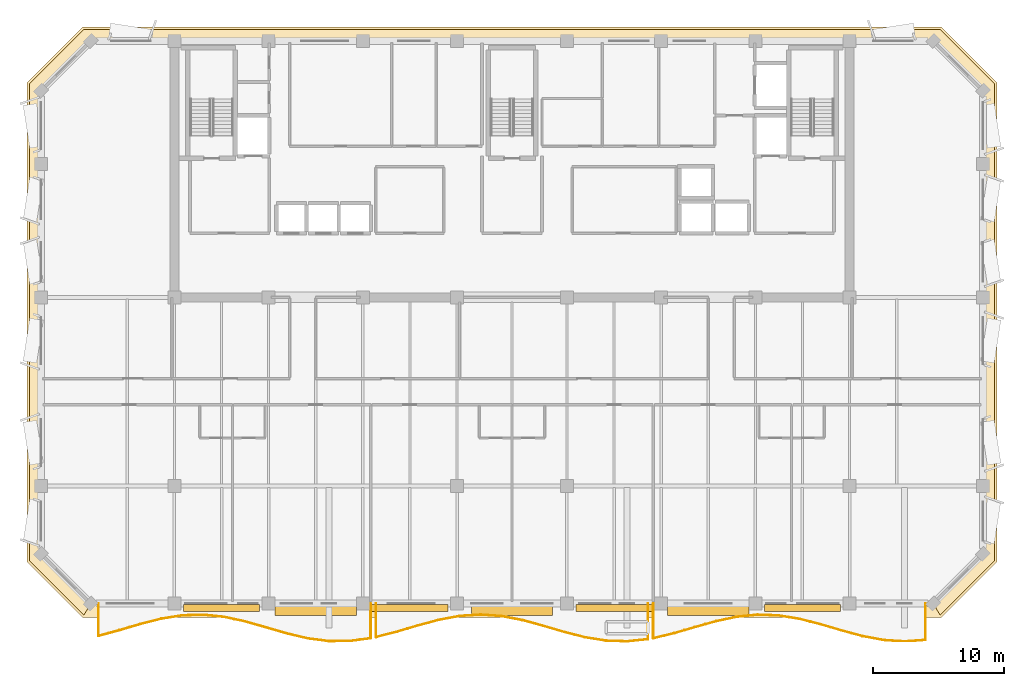
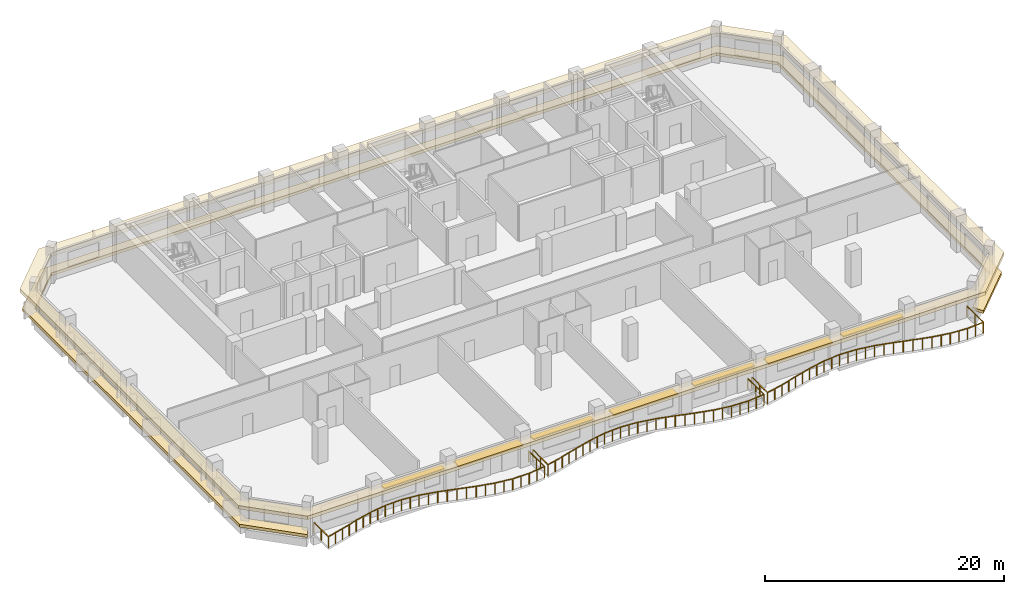
# One storey, part 8 of 10: 7 shading devices, 3 railings, 2 coverings.
"""IFC4 building model written with IfcOpenShell, lengths in metres."""

from ifc_helpers import new_model, si_unit, direction, frame, origin, origin_2d, place, context, subcontext, project, spatial, polyline, rectangle, outline, extrude, material, layer, layer_set, type_object, element, save


model = new_model("IFC4")

# Units and contexts
model_context = context("Model", 3, precision=1e-05, world=origin(), true_north=direction((0.0, 1.0)))
body_context = subcontext(model_context, "Body", "Model", "MODEL_VIEW")
ifc_project = project(units=[si_unit("LENGTHUNIT", "METRE"), si_unit("AREAUNIT", "SQUARE_METRE"), si_unit("VOLUMEUNIT", "CUBIC_METRE"), si_unit("PLANEANGLEUNIT", "RADIAN"), si_unit("MASSUNIT", "GRAM", prefix="KILO")], contexts=[model_context])

# Site, building, storey
site_placement = place(None, origin())
site = spatial("IfcSite", under=ifc_project, at=site_placement, CompositionType="ELEMENT")
building_placement = place(site_placement, origin())
building = spatial("IfcBuilding", under=site, at=building_placement, Name="Kaelvorn Grand Hotel", CompositionType="ELEMENT")
storey_placement = place(building_placement, frame((0.0, 0.0, 264.699951171875)))
storey = spatial("IfcBuildingStorey", under=building, at=storey_placement, Name="L65", CompositionType="ELEMENT", Elevation=264.699951171875)

# Coverings
ifc_material_1 = material(Name="Precast concrete C45/55", Category="concrete")
ifc_layer_1 = layer(ifc_material_1, 0.260009765625)
ifc_layer_set_1 = layer_set([ifc_layer_1], Name="Precast concrete C45/55")
covering_type_1 = type_object("IfcCoveringType", Name="COV-BAND-STREAMLINE-HEAD", PredefinedType="CLADDING", material=ifc_layer_set_1)
covering_1_placement = place(storey_placement, frame((0.0, 0.0, 2.420166015625)))
element("IfcCovering", 1, at=covering_1_placement, inside=storey, type_object=covering_type_1, Name="L65 Streamline Moderne Wraparound Horizontal Eyebrow Band", PredefinedType="CLADDING", context=body_context, shape_type="SweptSolid", body=[
    extrude(outline(polyline([(9.18994140625, 4.949951171875), (74.81005859375, 4.949951171875), (79.050048828125, 9.18994140625), (79.050048828125, 45.81005859375), (74.81005859375, 50.050048828125), (9.18994140625, 50.050048828125), (4.949951171875, 45.81005859375), (4.949951171875, 9.18994140625), (9.18994140625, 4.949951171875)]), holes=[polyline([(9.820068359375, 6.030029296875), (74.179931640625, 6.030029296875), (77.969970703125, 9.820068359375), (77.969970703125, 45.179931640625), (74.179931640625, 48.969970703125), (9.820068359375, 48.969970703125), (6.030029296875, 45.179931640625), (6.030029296875, 9.820068359375), (9.820068359375, 6.030029296875)])]), origin(), (0.0, 0.0, 1.0), 0.35986328125),
])
ifc_layer_2 = layer(ifc_material_1, 0.219970703125)
ifc_layer_set_2 = layer_set([ifc_layer_2], Name="Precast concrete C45/55")
covering_type_2 = type_object("IfcCoveringType", Name="COV-BAND-STREAMLINE-SILL", PredefinedType="CLADDING", material=ifc_layer_set_2)
covering_2_placement = place(storey_placement, frame((0.0, 0.0, 0.449951171875)))
element("IfcCovering", 2, at=covering_2_placement, inside=storey, type_object=covering_type_2, Name="L65 Streamline Moderne Wraparound Horizontal Sill Spandrel Band", PredefinedType="CLADDING", context=body_context, shape_type="SweptSolid", body=[
    extrude(outline(polyline([(74.715576171875, 5.1201171875), (78.8798828125, 9.284423828125), (78.8798828125, 45.715576171875), (74.715576171875, 49.8798828125), (9.284423828125, 49.8798828125), (5.1201171875, 45.715576171875), (5.1201171875, 9.284423828125), (9.284423828125, 5.1201171875), (9.817626953125, 6.030029296875), (6.030029296875, 9.817626953125), (6.030029296875, 45.182373046875), (9.817626953125, 48.969970703125), (74.182373046875, 48.969970703125), (77.969970703125, 45.182373046875), (77.969970703125, 9.817626953125), (74.182373046875, 6.030029296875), (74.715576171875, 5.1201171875)])), origin(), (0.0, 0.0, 1.0), 0.300048828125),
])

# Railings
ifc_material_2 = material(Name="Stainless Steel", Category="steel")
railing_type = type_object("IfcRailingType", Name="RL-BALC-1150", PredefinedType="BALUSTRADE", material=ifc_material_2)
railing_1_placement = place(storey_placement, frame((10.39990234375, 6.0, 0.0)))
element("IfcRailing", 3, at=railing_1_placement, inside=storey, type_object=railing_type, Name="L65 Scalloped Wave Balcony Balustrade GR1-1", PredefinedType="BALUSTRADE", context=body_context, shape_type="SweptSolid", body=[
    extrude(rectangle(XDim=0.048095703125, YDim=0.048095703125, at=origin_2d()), frame((0.0, 0.0, 1.1259765625), z_axis=(0.0, -1.0, 0.0), x_axis=(1.0, 0.0, 0.0)), (0.0, 0.0, 1.0), 2.4775390625),
    extrude(rectangle(XDim=0.048095703125, YDim=0.048095703125, at=origin_2d()), frame((0.0, -2.4775390625, 1.1259765625), z_axis=(0.964780804406, 0.263055126255, 0.0), x_axis=(-0.263055126255, 0.964780804406, 0.0)), (0.0, 0.0, 1.0), 1.658447265625),
    extrude(rectangle(XDim=0.048095703125, YDim=0.048095703125, at=origin_2d()), frame((1.60009765625, -2.041259765625, 1.1259765625), z_axis=(0.959192869064, 0.282752612608, 0.0), x_axis=(-0.282752612608, 0.959192869064, 0.0)), (0.0, 0.0, 1.0), 1.668212890625),
    extrude(rectangle(XDim=0.048095703125, YDim=0.048095703125, at=origin_2d()), frame((3.2001953125, -1.569580078125, 1.1259765625), z_axis=(0.969204438811, 0.24625749895, 0.0), x_axis=(-0.24625749895, 0.969204438811, 0.0)), (0.0, 0.0, 1.0), 1.650634765625),
    extrude(rectangle(XDim=0.048095703125, YDim=0.048095703125, at=origin_2d()), frame((4.800048828125, -1.1630859375, 1.1259765625), z_axis=(0.987502610882, 0.157602644337, 0.0), x_axis=(-0.157602644337, 0.987502610882, 0.0)), (0.0, 0.0, 1.0), 1.620361328125),
    extrude(rectangle(XDim=0.048095703125, YDim=0.048095703125, at=origin_2d()), frame((6.400146484375, -0.90771484375, 1.1259765625), z_axis=(0.999525230254, 0.030810941021, 0.0), x_axis=(-0.030810941021, 0.999525230254, 0.0)), (0.0, 0.0, 1.0), 1.6005859375),
    extrude(rectangle(XDim=0.048095703125, YDim=0.048095703125, at=origin_2d()), frame((8.0, -0.8583984375, 1.1259765625), z_axis=(0.994613846753, -0.103649871427, 0.0), x_axis=(0.103649871427, 0.994613846753, 0.0)), (0.0, 0.0, 1.0), 1.608642578125),
    extrude(rectangle(XDim=0.048095703125, YDim=0.048095703125, at=origin_2d()), frame((9.60009765625, -1.025146484375, 1.1259765625), z_axis=(0.977200579572, -0.212318221744, 0.0), x_axis=(0.212318221744, 0.977200579572, 0.0)), (0.0, 0.0, 1.0), 1.637451171875),
    extrude(rectangle(XDim=0.048095703125, YDim=0.048095703125, at=origin_2d()), frame((11.2001953125, -1.372802734375, 1.1259765625), z_axis=(0.961921762904, -0.273324938582, 0.0), x_axis=(0.273324938582, 0.961921762904, 0.0)), (0.0, 0.0, 1.0), 1.6630859375),
    extrude(rectangle(XDim=0.048095703125, YDim=0.048095703125, at=origin_2d()), frame((12.800048828125, -1.827392578125, 1.1259765625), z_axis=(0.960337367156, -0.278840709444, 0.0), x_axis=(0.278840709444, 0.960337367156, 0.0)), (0.0, 0.0, 1.0), 1.666259765625),
    extrude(rectangle(XDim=0.048095703125, YDim=0.048095703125, at=origin_2d()), frame((14.400146484375, -2.2919921875, 1.1259765625), z_axis=(0.973512551729, -0.228633575021, 0.0), x_axis=(0.228633575021, 0.973512551729, 0.0)), (0.0, 0.0, 1.0), 1.643310546875),
    extrude(rectangle(XDim=0.048095703125, YDim=0.048095703125, at=origin_2d()), frame((16.0, -2.667724609375, 1.1259765625), z_axis=(0.991713934243, -0.12846584226, 0.0), x_axis=(0.12846584226, 0.991713934243, 0.0)), (0.0, 0.0, 1.0), 1.613525390625),
    extrude(rectangle(XDim=0.048095703125, YDim=0.048095703125, at=origin_2d()), frame((17.60009765625, -2.875, 1.1259765625), z_axis=(0.999994366234, 0.003356709804, 0.0), x_axis=(-0.003356709804, 0.999994366234, 0.0)), (0.0, 0.0, 1.0), 1.60009765625),
    extrude(rectangle(XDim=0.048095703125, YDim=0.048095703125, at=origin_2d()), frame((19.2001953125, -2.86962890625, 1.1259765625), z_axis=(0.990922872084, 0.134431624185, 0.0), x_axis=(-0.134431624185, 0.990922872084, 0.0)), (0.0, 0.0, 1.0), 1.614501953125),
    extrude(rectangle(XDim=0.048095703125, YDim=0.048095703125, at=origin_2d()), frame((20.800048828125, -2.652587890625, 1.1259765625), z_axis=(0.0, 1.0, 0.0), x_axis=(-1.0, 0.0, 0.0)), (0.0, 0.0, 1.0), 2.652587890625),
    extrude(rectangle(XDim=0.0419921875, YDim=0.0419921875, at=origin_2d()), origin(), (0.0, 0.0, 1.0), 1.101806640625),
    extrude(rectangle(XDim=0.0419921875, YDim=0.0419921875, at=origin_2d()), frame((0.0, -1.23876953125, 0.0)), (0.0, 0.0, 1.0), 1.101806640625),
    extrude(rectangle(XDim=0.0419921875, YDim=0.0419921875, at=origin_2d()), frame((0.0, -2.4775390625, 0.0)), (0.0, 0.0, 1.0), 1.101806640625),
    extrude(rectangle(XDim=0.0419921875, YDim=0.0419921875, at=origin_2d()), frame((0.800048828125, -2.25927734375, 0.0)), (0.0, 0.0, 1.0), 1.101806640625),
    extrude(rectangle(XDim=0.0419921875, YDim=0.0419921875, at=origin_2d()), frame((1.60009765625, -2.041259765625, 0.0)), (0.0, 0.0, 1.0), 1.101806640625),
    extrude(rectangle(XDim=0.0419921875, YDim=0.0419921875, at=origin_2d()), frame((2.400146484375, -1.805419921875, 0.0)), (0.0, 0.0, 1.0), 1.101806640625),
    extrude(rectangle(XDim=0.0419921875, YDim=0.0419921875, at=origin_2d()), frame((3.2001953125, -1.569580078125, 0.0)), (0.0, 0.0, 1.0), 1.101806640625),
    extrude(rectangle(XDim=0.0419921875, YDim=0.0419921875, at=origin_2d()), frame((4.0, -1.3662109375, 0.0)), (0.0, 0.0, 1.0), 1.101806640625),
    extrude(rectangle(XDim=0.0419921875, YDim=0.0419921875, at=origin_2d()), frame((4.800048828125, -1.1630859375, 0.0)), (0.0, 0.0, 1.0), 1.101806640625),
    extrude(rectangle(XDim=0.0419921875, YDim=0.0419921875, at=origin_2d()), frame((5.60009765625, -1.035400390625, 0.0)), (0.0, 0.0, 1.0), 1.101806640625),
    extrude(rectangle(XDim=0.0419921875, YDim=0.0419921875, at=origin_2d()), frame((6.400146484375, -0.90771484375, 0.0)), (0.0, 0.0, 1.0), 1.101806640625),
    extrude(rectangle(XDim=0.0419921875, YDim=0.0419921875, at=origin_2d()), frame((7.2001953125, -0.883056640625, 0.0)), (0.0, 0.0, 1.0), 1.101806640625),
    extrude(rectangle(XDim=0.0419921875, YDim=0.0419921875, at=origin_2d()), frame((8.0, -0.8583984375, 0.0)), (0.0, 0.0, 1.0), 1.101806640625),
    extrude(rectangle(XDim=0.0419921875, YDim=0.0419921875, at=origin_2d()), frame((8.800048828125, -0.94189453125, 0.0)), (0.0, 0.0, 1.0), 1.101806640625),
    extrude(rectangle(XDim=0.0419921875, YDim=0.0419921875, at=origin_2d()), frame((9.60009765625, -1.025146484375, 0.0)), (0.0, 0.0, 1.0), 1.101806640625),
    extrude(rectangle(XDim=0.0419921875, YDim=0.0419921875, at=origin_2d()), frame((10.400146484375, -1.198974609375, 0.0)), (0.0, 0.0, 1.0), 1.101806640625),
    extrude(rectangle(XDim=0.0419921875, YDim=0.0419921875, at=origin_2d()), frame((11.2001953125, -1.372802734375, 0.0)), (0.0, 0.0, 1.0), 1.101806640625),
    extrude(rectangle(XDim=0.0419921875, YDim=0.0419921875, at=origin_2d()), frame((12.0, -1.60009765625, 0.0)), (0.0, 0.0, 1.0), 1.101806640625),
    extrude(rectangle(XDim=0.0419921875, YDim=0.0419921875, at=origin_2d()), frame((12.800048828125, -1.827392578125, 0.0)), (0.0, 0.0, 1.0), 1.101806640625),
    extrude(rectangle(XDim=0.0419921875, YDim=0.0419921875, at=origin_2d()), frame((13.60009765625, -2.0595703125, 0.0)), (0.0, 0.0, 1.0), 1.101806640625),
    extrude(rectangle(XDim=0.0419921875, YDim=0.0419921875, at=origin_2d()), frame((14.400146484375, -2.2919921875, 0.0)), (0.0, 0.0, 1.0), 1.101806640625),
    extrude(rectangle(XDim=0.0419921875, YDim=0.0419921875, at=origin_2d()), frame((15.2001953125, -2.47998046875, 0.0)), (0.0, 0.0, 1.0), 1.101806640625),
    extrude(rectangle(XDim=0.0419921875, YDim=0.0419921875, at=origin_2d()), frame((16.0, -2.667724609375, 0.0)), (0.0, 0.0, 1.0), 1.101806640625),
    extrude(rectangle(XDim=0.0419921875, YDim=0.0419921875, at=origin_2d()), frame((16.800048828125, -2.771484375, 0.0)), (0.0, 0.0, 1.0), 1.101806640625),
    extrude(rectangle(XDim=0.0419921875, YDim=0.0419921875, at=origin_2d()), frame((17.60009765625, -2.875, 0.0)), (0.0, 0.0, 1.0), 1.101806640625),
    extrude(rectangle(XDim=0.0419921875, YDim=0.0419921875, at=origin_2d()), frame((18.400146484375, -2.872314453125, 0.0)), (0.0, 0.0, 1.0), 1.101806640625),
    extrude(rectangle(XDim=0.0419921875, YDim=0.0419921875, at=origin_2d()), frame((19.2001953125, -2.86962890625, 0.0)), (0.0, 0.0, 1.0), 1.101806640625),
    extrude(rectangle(XDim=0.0419921875, YDim=0.0419921875, at=origin_2d()), frame((20.0, -2.76123046875, 0.0)), (0.0, 0.0, 1.0), 1.101806640625),
    extrude(rectangle(XDim=0.0419921875, YDim=0.0419921875, at=origin_2d()), frame((20.800048828125, -2.652587890625, 0.0)), (0.0, 0.0, 1.0), 1.101806640625),
    extrude(rectangle(XDim=0.0419921875, YDim=0.0419921875, at=origin_2d()), frame((20.800048828125, -1.326171875, 0.0)), (0.0, 0.0, 1.0), 1.101806640625),
    extrude(rectangle(XDim=0.0419921875, YDim=0.0419921875, at=origin_2d()), frame((20.800048828125, 0.0, 0.0)), (0.0, 0.0, 1.0), 1.101806640625),
])
railing_2_placement = place(storey_placement, frame((31.60009765625, 6.0, 0.0)))
element("IfcRailing", 4, at=railing_2_placement, inside=storey, type_object=railing_type, Name="L65 Scalloped Wave Balcony Balustrade GR1-2", PredefinedType="BALUSTRADE", context=body_context, shape_type="SweptSolid", body=[
    extrude(rectangle(XDim=0.048095703125, YDim=0.048095703125, at=origin_2d()), frame((0.0, 0.0, 1.1259765625), z_axis=(0.0, -1.0, 0.0), x_axis=(1.0, 0.0, 0.0)), (0.0, 0.0, 1.0), 2.569580078125),
    extrude(rectangle(XDim=0.048095703125, YDim=0.048095703125, at=origin_2d()), frame((0.0, -2.569580078125, 1.1259765625), z_axis=(0.968387953871, 0.249448934249, 0.0), x_axis=(-0.249448934249, 0.968387953871, 0.0)), (0.0, 0.0, 1.0), 1.652099609375),
    extrude(rectangle(XDim=0.048095703125, YDim=0.048095703125, at=origin_2d()), frame((1.599853515625, -2.157470703125, 1.1259765625), z_axis=(0.959113452177, 0.283021882287, 0.0), x_axis=(-0.283021882287, 0.959113452177, 0.0)), (0.0, 0.0, 1.0), 1.668212890625),
    extrude(rectangle(XDim=0.048095703125, YDim=0.048095703125, at=origin_2d()), frame((3.199951171875, -1.685302734375, 1.1259765625), z_axis=(0.965440575101, 0.260623283588, 0.0), x_axis=(-0.260623283588, 0.965440575101, 0.0)), (0.0, 0.0, 1.0), 1.6572265625),
    extrude(rectangle(XDim=0.048095703125, YDim=0.048095703125, at=origin_2d()), frame((4.7998046875, -1.25341796875, 1.1259765625), z_axis=(0.982923083623, 0.184016878792, 0.0), x_axis=(-0.184016878792, 0.982923083623, 0.0)), (0.0, 0.0, 1.0), 1.6279296875),
    extrude(rectangle(XDim=0.048095703125, YDim=0.048095703125, at=origin_2d()), frame((6.39990234375, -0.953857421875, 1.1259765625), z_axis=(0.997904112488, 0.064709985933, 0.0), x_axis=(-0.064709985933, 0.997904112488, 0.0)), (0.0, 0.0, 1.0), 1.603515625),
    extrude(rectangle(XDim=0.048095703125, YDim=0.048095703125, at=origin_2d()), frame((8.0, -0.85009765625, 1.1259765625), z_axis=(0.997459472433, -0.071236232733, 0.0), x_axis=(0.071236232733, 0.997459472433, 0.0)), (0.0, 0.0, 1.0), 1.60400390625),
    extrude(rectangle(XDim=0.048095703125, YDim=0.048095703125, at=origin_2d()), frame((9.599853515625, -0.96435546875, 1.1259765625), z_axis=(0.981961535476, -0.189080783914, 0.0), x_axis=(0.189080783914, 0.981961535476, 0.0)), (0.0, 0.0, 1.0), 1.62939453125),
    extrude(rectangle(XDim=0.048095703125, YDim=0.048095703125, at=origin_2d()), frame((11.199951171875, -1.2724609375, 1.1259765625), z_axis=(0.964770615953, -0.26309249057, 0.0), x_axis=(0.26309249057, 0.964770615953, 0.0)), (0.0, 0.0, 1.0), 1.658203125),
    extrude(rectangle(XDim=0.048095703125, YDim=0.048095703125, at=origin_2d()), frame((12.7998046875, -1.708740234375, 1.1259765625), z_axis=(0.959192869064, -0.282752612608, 0.0), x_axis=(0.282752612608, 0.959192869064, 0.0)), (0.0, 0.0, 1.0), 1.668212890625),
    extrude(rectangle(XDim=0.048095703125, YDim=0.048095703125, at=origin_2d()), frame((14.39990234375, -2.180419921875, 1.1259765625), z_axis=(0.969213406092, -0.246222203409, 0.0), x_axis=(0.246222203409, 0.969213406092, 0.0)), (0.0, 0.0, 1.0), 1.65087890625),
    extrude(rectangle(XDim=0.048095703125, YDim=0.048095703125, at=origin_2d()), frame((16.0, -2.5869140625, 1.1259765625), z_axis=(0.987498867572, -0.157626097281, 0.0), x_axis=(0.157626097281, 0.987498867572, 0.0)), (0.0, 0.0, 1.0), 1.6201171875),
    extrude(rectangle(XDim=0.048095703125, YDim=0.048095703125, at=origin_2d()), frame((17.599853515625, -2.84228515625, 1.1259765625), z_axis=(0.999525375019, -0.030806244393, 0.0), x_axis=(0.030806244393, 0.999525375019, 0.0)), (0.0, 0.0, 1.0), 1.600830078125),
    extrude(rectangle(XDim=0.048095703125, YDim=0.048095703125, at=origin_2d()), frame((19.199951171875, -2.8916015625, 1.1259765625), z_axis=(0.994612216016, 0.103665518623, 0.0), x_axis=(-0.103665518623, 0.994612216016, 0.0)), (0.0, 0.0, 1.0), 1.6083984375),
    extrude(rectangle(XDim=0.048095703125, YDim=0.048095703125, at=origin_2d()), frame((20.7998046875, -2.724853515625, 1.1259765625), z_axis=(0.0, 1.0, 0.0), x_axis=(-1.0, 0.0, 0.0)), (0.0, 0.0, 1.0), 2.724853515625),
    extrude(rectangle(XDim=0.0419921875, YDim=0.0419921875, at=origin_2d()), origin(), (0.0, 0.0, 1.0), 1.101806640625),
    extrude(rectangle(XDim=0.0419921875, YDim=0.0419921875, at=origin_2d()), frame((0.0, -1.28466796875, 0.0)), (0.0, 0.0, 1.0), 1.101806640625),
    extrude(rectangle(XDim=0.0419921875, YDim=0.0419921875, at=origin_2d()), frame((0.0, -2.569580078125, 0.0)), (0.0, 0.0, 1.0), 1.101806640625),
    extrude(rectangle(XDim=0.0419921875, YDim=0.0419921875, at=origin_2d()), frame((0.7998046875, -2.363525390625, 0.0)), (0.0, 0.0, 1.0), 1.101806640625),
    extrude(rectangle(XDim=0.0419921875, YDim=0.0419921875, at=origin_2d()), frame((1.599853515625, -2.157470703125, 0.0)), (0.0, 0.0, 1.0), 1.101806640625),
    extrude(rectangle(XDim=0.0419921875, YDim=0.0419921875, at=origin_2d()), frame((2.39990234375, -1.92138671875, 0.0)), (0.0, 0.0, 1.0), 1.101806640625),
    extrude(rectangle(XDim=0.0419921875, YDim=0.0419921875, at=origin_2d()), frame((3.199951171875, -1.685302734375, 0.0)), (0.0, 0.0, 1.0), 1.101806640625),
    extrude(rectangle(XDim=0.0419921875, YDim=0.0419921875, at=origin_2d()), frame((4.0, -1.46923828125, 0.0)), (0.0, 0.0, 1.0), 1.101806640625),
    extrude(rectangle(XDim=0.0419921875, YDim=0.0419921875, at=origin_2d()), frame((4.7998046875, -1.25341796875, 0.0)), (0.0, 0.0, 1.0), 1.101806640625),
    extrude(rectangle(XDim=0.0419921875, YDim=0.0419921875, at=origin_2d()), frame((5.599853515625, -1.103515625, 0.0)), (0.0, 0.0, 1.0), 1.101806640625),
    extrude(rectangle(XDim=0.0419921875, YDim=0.0419921875, at=origin_2d()), frame((6.39990234375, -0.953857421875, 0.0)), (0.0, 0.0, 1.0), 1.101806640625),
    extrude(rectangle(XDim=0.0419921875, YDim=0.0419921875, at=origin_2d()), frame((7.199951171875, -0.90185546875, 0.0)), (0.0, 0.0, 1.0), 1.101806640625),
    extrude(rectangle(XDim=0.0419921875, YDim=0.0419921875, at=origin_2d()), frame((8.0, -0.85009765625, 0.0)), (0.0, 0.0, 1.0), 1.101806640625),
    extrude(rectangle(XDim=0.0419921875, YDim=0.0419921875, at=origin_2d()), frame((8.7998046875, -0.9072265625, 0.0)), (0.0, 0.0, 1.0), 1.101806640625),
    extrude(rectangle(XDim=0.0419921875, YDim=0.0419921875, at=origin_2d()), frame((9.599853515625, -0.96435546875, 0.0)), (0.0, 0.0, 1.0), 1.101806640625),
    extrude(rectangle(XDim=0.0419921875, YDim=0.0419921875, at=origin_2d()), frame((10.39990234375, -1.118408203125, 0.0)), (0.0, 0.0, 1.0), 1.101806640625),
    extrude(rectangle(XDim=0.0419921875, YDim=0.0419921875, at=origin_2d()), frame((11.199951171875, -1.2724609375, 0.0)), (0.0, 0.0, 1.0), 1.101806640625),
    extrude(rectangle(XDim=0.0419921875, YDim=0.0419921875, at=origin_2d()), frame((12.0, -1.49072265625, 0.0)), (0.0, 0.0, 1.0), 1.101806640625),
    extrude(rectangle(XDim=0.0419921875, YDim=0.0419921875, at=origin_2d()), frame((12.7998046875, -1.708740234375, 0.0)), (0.0, 0.0, 1.0), 1.101806640625),
    extrude(rectangle(XDim=0.0419921875, YDim=0.0419921875, at=origin_2d()), frame((13.599853515625, -1.944580078125, 0.0)), (0.0, 0.0, 1.0), 1.101806640625),
    extrude(rectangle(XDim=0.0419921875, YDim=0.0419921875, at=origin_2d()), frame((14.39990234375, -2.180419921875, 0.0)), (0.0, 0.0, 1.0), 1.101806640625),
    extrude(rectangle(XDim=0.0419921875, YDim=0.0419921875, at=origin_2d()), frame((15.199951171875, -2.3837890625, 0.0)), (0.0, 0.0, 1.0), 1.101806640625),
    extrude(rectangle(XDim=0.0419921875, YDim=0.0419921875, at=origin_2d()), frame((16.0, -2.5869140625, 0.0)), (0.0, 0.0, 1.0), 1.101806640625),
    extrude(rectangle(XDim=0.0419921875, YDim=0.0419921875, at=origin_2d()), frame((16.7998046875, -2.714599609375, 0.0)), (0.0, 0.0, 1.0), 1.101806640625),
    extrude(rectangle(XDim=0.0419921875, YDim=0.0419921875, at=origin_2d()), frame((17.599853515625, -2.84228515625, 0.0)), (0.0, 0.0, 1.0), 1.101806640625),
    extrude(rectangle(XDim=0.0419921875, YDim=0.0419921875, at=origin_2d()), frame((18.39990234375, -2.866943359375, 0.0)), (0.0, 0.0, 1.0), 1.101806640625),
    extrude(rectangle(XDim=0.0419921875, YDim=0.0419921875, at=origin_2d()), frame((19.199951171875, -2.8916015625, 0.0)), (0.0, 0.0, 1.0), 1.101806640625),
    extrude(rectangle(XDim=0.0419921875, YDim=0.0419921875, at=origin_2d()), frame((20.0, -2.80810546875, 0.0)), (0.0, 0.0, 1.0), 1.101806640625),
    extrude(rectangle(XDim=0.0419921875, YDim=0.0419921875, at=origin_2d()), frame((20.7998046875, -2.724853515625, 0.0)), (0.0, 0.0, 1.0), 1.101806640625),
    extrude(rectangle(XDim=0.0419921875, YDim=0.0419921875, at=origin_2d()), frame((20.7998046875, -1.3623046875, 0.0)), (0.0, 0.0, 1.0), 1.101806640625),
    extrude(rectangle(XDim=0.0419921875, YDim=0.0419921875, at=origin_2d()), frame((20.7998046875, 0.0, 0.0)), (0.0, 0.0, 1.0), 1.101806640625),
])
railing_3_placement = place(storey_placement, frame((52.800048828125, 6.0, 0.0)))
element("IfcRailing", 5, at=railing_3_placement, inside=storey, type_object=railing_type, Name="L65 Scalloped Wave Balcony Balustrade GR1-3", PredefinedType="BALUSTRADE", context=body_context, shape_type="SweptSolid", body=[
    extrude(rectangle(XDim=0.048095703125, YDim=0.048095703125, at=origin_2d()), frame((0.0, 0.0, 1.1259765625), z_axis=(0.0, -1.0, 0.0), x_axis=(1.0, 0.0, 0.0)), (0.0, 0.0, 1.0), 2.652587890625),
    extrude(rectangle(XDim=0.048095703125, YDim=0.048095703125, at=origin_2d()), frame((0.0, -2.652587890625, 1.1259765625), z_axis=(0.972579621463, 0.232570161275, 0.0), x_axis=(-0.232570161275, 0.972579621463, 0.0)), (0.0, 0.0, 1.0), 1.64501953125),
    extrude(rectangle(XDim=0.048095703125, YDim=0.048095703125, at=origin_2d()), frame((1.599853515625, -2.27001953125, 1.1259765625), z_axis=(0.960022964668, 0.279921251981, 0.0), x_axis=(-0.279921251981, 0.960022964668, 0.0)), (0.0, 0.0, 1.0), 1.666748046875),
    extrude(rectangle(XDim=0.048095703125, YDim=0.048095703125, at=origin_2d()), frame((3.199951171875, -1.803466796875, 1.1259765625), z_axis=(0.962471316232, 0.271383428806, 0.0), x_axis=(-0.271383428806, 0.962471316232, 0.0)), (0.0, 0.0, 1.0), 1.66259765625),
    extrude(rectangle(XDim=0.048095703125, YDim=0.048095703125, at=origin_2d()), frame((4.800048828125, -1.352294921875, 1.1259765625), z_axis=(0.97814405344, 0.207928378825, 0.0), x_axis=(-0.207928378825, 0.97814405344, 0.0)), (0.0, 0.0, 1.0), 1.635498046875),
    extrude(rectangle(XDim=0.048095703125, YDim=0.048095703125, at=origin_2d()), frame((6.39990234375, -1.01220703125, 1.1259765625), z_axis=(0.995251339564, 0.097338435865, 0.0), x_axis=(-0.097338435865, 0.995251339564, 0.0)), (0.0, 0.0, 1.0), 1.607666015625),
    extrude(rectangle(XDim=0.048095703125, YDim=0.048095703125, at=origin_2d()), frame((8.0, -0.855712890625, 1.1259765625), z_axis=(0.999290387736, -0.037665912677, 0.0), x_axis=(0.037665912677, 0.999290387736, 0.0)), (0.0, 0.0, 1.0), 1.60107421875),
    extrude(rectangle(XDim=0.048095703125, YDim=0.048095703125, at=origin_2d()), frame((9.599853515625, -0.916015625, 1.1259765625), z_axis=(0.986620816631, -0.163031788894, 0.0), x_axis=(0.163031788894, 0.986620816631, 0.0)), (0.0, 0.0, 1.0), 1.621826171875),
    extrude(rectangle(XDim=0.048095703125, YDim=0.048095703125, at=origin_2d()), frame((11.199951171875, -1.180419921875, 1.1259765625), z_axis=(0.968397147337, -0.249413241487, 0.0), x_axis=(0.249413241487, 0.968397147337, 0.0)), (0.0, 0.0, 1.0), 1.65234375),
    extrude(rectangle(XDim=0.048095703125, YDim=0.048095703125, at=origin_2d()), frame((12.800048828125, -1.592529296875, 1.1259765625), z_axis=(0.959101727658, -0.283061611673, 0.0), x_axis=(0.283061611673, 0.959101727658, 0.0)), (0.0, 0.0, 1.0), 1.66796875),
    extrude(rectangle(XDim=0.048095703125, YDim=0.048095703125, at=origin_2d()), frame((14.39990234375, -2.064697265625, 1.1259765625), z_axis=(0.965450580149, -0.260586218536, 0.0), x_axis=(0.260586218536, 0.965450580149, 0.0)), (0.0, 0.0, 1.0), 1.657470703125),
    extrude(rectangle(XDim=0.048095703125, YDim=0.048095703125, at=origin_2d()), frame((16.0, -2.49658203125, 1.1259765625), z_axis=(0.982918004082, -0.184044009005, 0.0), x_axis=(0.184044009005, 0.982918004082, 0.0)), (0.0, 0.0, 1.0), 1.627685546875),
    extrude(rectangle(XDim=0.048095703125, YDim=0.048095703125, at=origin_2d()), frame((17.599853515625, -2.796142578125, 1.1259765625), z_axis=(0.997904112488, -0.064709985933, 0.0), x_axis=(0.064709985933, 0.997904112488, 0.0)), (0.0, 0.0, 1.0), 1.603515625),
    extrude(rectangle(XDim=0.048095703125, YDim=0.048095703125, at=origin_2d()), frame((19.199951171875, -2.89990234375, 1.1259765625), z_axis=(0.997460244683, 0.071225418754, 0.0), x_axis=(-0.071225418754, 0.997460244683, 0.0)), (0.0, 0.0, 1.0), 1.604248046875),
    extrude(rectangle(XDim=0.048095703125, YDim=0.048095703125, at=origin_2d()), frame((20.800048828125, -2.78564453125, 1.1259765625), z_axis=(0.0, 1.0, 0.0), x_axis=(-1.0, 0.0, 0.0)), (0.0, 0.0, 1.0), 2.78564453125),
    extrude(rectangle(XDim=0.0419921875, YDim=0.0419921875, at=origin_2d()), origin(), (0.0, 0.0, 1.0), 1.101806640625),
    extrude(rectangle(XDim=0.0419921875, YDim=0.0419921875, at=origin_2d()), frame((0.0, -1.326171875, 0.0)), (0.0, 0.0, 1.0), 1.101806640625),
    extrude(rectangle(XDim=0.0419921875, YDim=0.0419921875, at=origin_2d()), frame((0.0, -2.652587890625, 0.0)), (0.0, 0.0, 1.0), 1.101806640625),
    extrude(rectangle(XDim=0.0419921875, YDim=0.0419921875, at=origin_2d()), frame((0.7998046875, -2.46142578125, 0.0)), (0.0, 0.0, 1.0), 1.101806640625),
    extrude(rectangle(XDim=0.0419921875, YDim=0.0419921875, at=origin_2d()), frame((1.599853515625, -2.27001953125, 0.0)), (0.0, 0.0, 1.0), 1.101806640625),
    extrude(rectangle(XDim=0.0419921875, YDim=0.0419921875, at=origin_2d()), frame((2.39990234375, -2.03662109375, 0.0)), (0.0, 0.0, 1.0), 1.101806640625),
    extrude(rectangle(XDim=0.0419921875, YDim=0.0419921875, at=origin_2d()), frame((3.199951171875, -1.803466796875, 0.0)), (0.0, 0.0, 1.0), 1.101806640625),
    extrude(rectangle(XDim=0.0419921875, YDim=0.0419921875, at=origin_2d()), frame((4.0, -1.577880859375, 0.0)), (0.0, 0.0, 1.0), 1.101806640625),
    extrude(rectangle(XDim=0.0419921875, YDim=0.0419921875, at=origin_2d()), frame((4.800048828125, -1.352294921875, 0.0)), (0.0, 0.0, 1.0), 1.101806640625),
    extrude(rectangle(XDim=0.0419921875, YDim=0.0419921875, at=origin_2d()), frame((5.60009765625, -1.18212890625, 0.0)), (0.0, 0.0, 1.0), 1.101806640625),
    extrude(rectangle(XDim=0.0419921875, YDim=0.0419921875, at=origin_2d()), frame((6.39990234375, -1.01220703125, 0.0)), (0.0, 0.0, 1.0), 1.101806640625),
    extrude(rectangle(XDim=0.0419921875, YDim=0.0419921875, at=origin_2d()), frame((7.199951171875, -0.93408203125, 0.0)), (0.0, 0.0, 1.0), 1.101806640625),
    extrude(rectangle(XDim=0.0419921875, YDim=0.0419921875, at=origin_2d()), frame((8.0, -0.855712890625, 0.0)), (0.0, 0.0, 1.0), 1.101806640625),
    extrude(rectangle(XDim=0.0419921875, YDim=0.0419921875, at=origin_2d()), frame((8.7998046875, -0.8857421875, 0.0)), (0.0, 0.0, 1.0), 1.101806640625),
    extrude(rectangle(XDim=0.0419921875, YDim=0.0419921875, at=origin_2d()), frame((9.599853515625, -0.916015625, 0.0)), (0.0, 0.0, 1.0), 1.101806640625),
    extrude(rectangle(XDim=0.0419921875, YDim=0.0419921875, at=origin_2d()), frame((10.39990234375, -1.04833984375, 0.0)), (0.0, 0.0, 1.0), 1.101806640625),
    extrude(rectangle(XDim=0.0419921875, YDim=0.0419921875, at=origin_2d()), frame((11.199951171875, -1.180419921875, 0.0)), (0.0, 0.0, 1.0), 1.101806640625),
    extrude(rectangle(XDim=0.0419921875, YDim=0.0419921875, at=origin_2d()), frame((12.0, -1.386474609375, 0.0)), (0.0, 0.0, 1.0), 1.101806640625),
    extrude(rectangle(XDim=0.0419921875, YDim=0.0419921875, at=origin_2d()), frame((12.800048828125, -1.592529296875, 0.0)), (0.0, 0.0, 1.0), 1.101806640625),
    extrude(rectangle(XDim=0.0419921875, YDim=0.0419921875, at=origin_2d()), frame((13.60009765625, -1.82861328125, 0.0)), (0.0, 0.0, 1.0), 1.101806640625),
    extrude(rectangle(XDim=0.0419921875, YDim=0.0419921875, at=origin_2d()), frame((14.39990234375, -2.064697265625, 0.0)), (0.0, 0.0, 1.0), 1.101806640625),
    extrude(rectangle(XDim=0.0419921875, YDim=0.0419921875, at=origin_2d()), frame((15.199951171875, -2.28076171875, 0.0)), (0.0, 0.0, 1.0), 1.101806640625),
    extrude(rectangle(XDim=0.0419921875, YDim=0.0419921875, at=origin_2d()), frame((16.0, -2.49658203125, 0.0)), (0.0, 0.0, 1.0), 1.101806640625),
    extrude(rectangle(XDim=0.0419921875, YDim=0.0419921875, at=origin_2d()), frame((16.7998046875, -2.646484375, 0.0)), (0.0, 0.0, 1.0), 1.101806640625),
    extrude(rectangle(XDim=0.0419921875, YDim=0.0419921875, at=origin_2d()), frame((17.599853515625, -2.796142578125, 0.0)), (0.0, 0.0, 1.0), 1.101806640625),
    extrude(rectangle(XDim=0.0419921875, YDim=0.0419921875, at=origin_2d()), frame((18.39990234375, -2.84814453125, 0.0)), (0.0, 0.0, 1.0), 1.101806640625),
    extrude(rectangle(XDim=0.0419921875, YDim=0.0419921875, at=origin_2d()), frame((19.199951171875, -2.89990234375, 0.0)), (0.0, 0.0, 1.0), 1.101806640625),
    extrude(rectangle(XDim=0.0419921875, YDim=0.0419921875, at=origin_2d()), frame((20.0, -2.8427734375, 0.0)), (0.0, 0.0, 1.0), 1.101806640625),
    extrude(rectangle(XDim=0.0419921875, YDim=0.0419921875, at=origin_2d()), frame((20.800048828125, -2.78564453125, 0.0)), (0.0, 0.0, 1.0), 1.101806640625),
    extrude(rectangle(XDim=0.0419921875, YDim=0.0419921875, at=origin_2d()), frame((20.800048828125, -1.392822265625, 0.0)), (0.0, 0.0, 1.0), 1.101806640625),
    extrude(rectangle(XDim=0.0419921875, YDim=0.0419921875, at=origin_2d()), frame((20.800048828125, 0.0, 0.0)), (0.0, 0.0, 1.0), 1.101806640625),
])

# Shading devices
ifc_layer_3 = layer(ifc_material_1, 0.1201171875)
ifc_layer_set_3 = layer_set([ifc_layer_3], Name="Precast concrete C45/55")
shading_device_type_1 = type_object("IfcShadingDeviceType", Name="SHD-SUNSHADE-550", PredefinedType="USERDEFINED", material=ifc_layer_set_3)
for number, where, z_axis, x_axis, name in (
    (6, (19.800048828125, 5.655029296875, 2.56005859375), (0.0, 0.0, 1.0), (1.0, 0.0, 0.0), "L65 Horizontal Concrete Sunshade Band SS-03"),
    (7, (34.199951171875, 5.655029296875, 2.56005859375), (0.0, 0.0, 1.0), (1.0, 0.0, 0.0), "L65 Horizontal Concrete Sunshade Band SS-05"),
    (8, (49.800048828125, 5.655029296875, 2.56005859375), (0.0, 0.0, 1.0), (1.0, 0.0, 0.0), "L65 Horizontal Concrete Sunshade Band SS-07"),
    (9, (64.199951171875, 5.655029296875, 2.56005859375), (0.0, 0.0, 1.0), (1.0, 0.0, 0.0), "L65 Horizontal Concrete Sunshade Band SS-09"),
):
    element("IfcShadingDevice", number, at=place(storey_placement, frame(where, z_axis=z_axis, x_axis=x_axis)), inside=storey, type_object=shading_device_type_1, Name=name, ObjectType="SUNSHADE", PredefinedType="USERDEFINED", context=body_context, shape_type="SweptSolid", body=[
        extrude(rectangle(XDim=5.800048828125, YDim=0.550048828125, at=origin_2d()), origin(), (0.0, 0.0, 1.0), 0.1201171875),
    ])
ifc_layer_4 = layer(ifc_material_1, 0.139892578125)
ifc_layer_set_4 = layer_set([ifc_layer_4], Name="Precast concrete C45/55")
shading_device_type_2 = type_object("IfcShadingDeviceType", Name="SHD-SUNSHADE-850", PredefinedType="USERDEFINED", material=ifc_layer_set_4)
for number, where, z_axis, x_axis, name in (
    (10, (27.0, 5.5048828125, 2.55029296875), (0.0, 0.0, 1.0), (1.0, 0.0, 0.0), "L65 Horizontal Concrete Sunshade Band SS-04"),
    (11, (42.0, 5.5048828125, 2.55029296875), (0.0, 0.0, 1.0), (1.0, 0.0, 0.0), "L65 Horizontal Concrete Sunshade Band SS-06"),
    (12, (57.0, 5.5048828125, 2.55029296875), (0.0, 0.0, 1.0), (1.0, 0.0, 0.0), "L65 Horizontal Concrete Sunshade Band SS-08"),
):
    element("IfcShadingDevice", number, at=place(storey_placement, frame(where, z_axis=z_axis, x_axis=x_axis)), inside=storey, type_object=shading_device_type_2, Name=name, ObjectType="SUNSHADE", PredefinedType="USERDEFINED", context=body_context, shape_type="SweptSolid", body=[
        extrude(rectangle(XDim=6.199951171875, YDim=0.85009765625, at=origin_2d()), origin(), (0.0, 0.0, 1.0), 0.139892578125),
    ])

save(model, "model.ifc")
